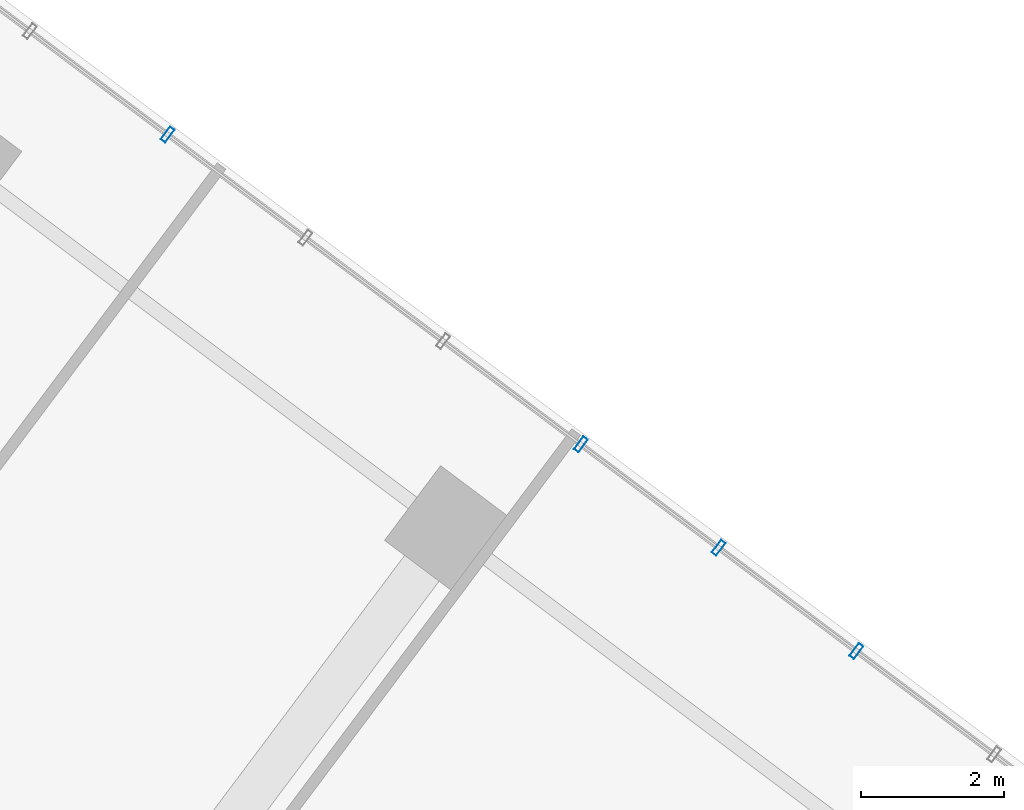
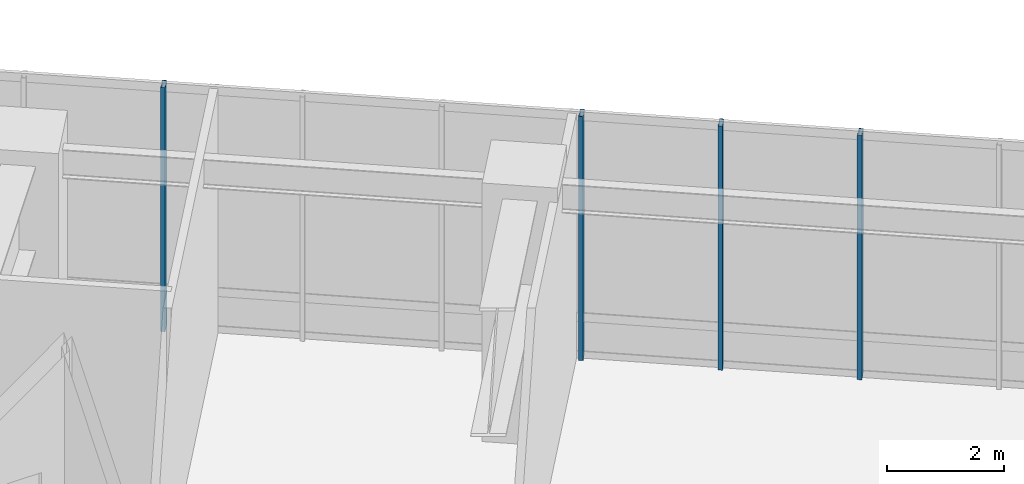
# One storey, part 14 of 38: 4 members, 1 element without a shape of its own.
"""IFC4 building model written with IfcOpenShell, lengths in metres."""

import ifcopenshell
import ifcopenshell.guid

model = None  # the IFC model being written
_history = None  # IfcOwnerHistory: only IFC2X3 demands one
_inside = {}  # id of a spatial element -> (the spatial element, [elements in it])
_under = {}  # id of a project, library or spatial element -> (it, [spatial elements below it])
_declared = {}  # id of a project -> (the project, [libraries it declares])
_typed = {}  # id of a type object -> (the type object, [elements of that type])
_made_of = {}  # id of a material, layer set ... -> (it, [elements and type objects made of it])


def new_model(schema):
    """Start an empty IFC model of exactly this schema.

    Asked for "IFC4X3", IfcOpenShell would pick the latest addendum, in which some entities
    have other attributes; the version numbers below select the first issue.
    IFC2X3 requires an IfcOwnerHistory on every rooted entity: one is made here for all.
    """
    global model, _history
    if schema == "IFC4X3":
        model = ifcopenshell.file(schema_version=(4, 3, 0, 0))
    else:
        model = ifcopenshell.file(schema=schema)
    _inside.clear()
    _under.clear()
    _declared.clear()
    _typed.clear()
    _made_of.clear()
    _history = None
    if model.schema == "IFC2X3":
        org = make("IfcOrganization", Name="unknown")
        user = make(
            "IfcPersonAndOrganization",
            ThePerson=make("IfcPerson", FamilyName="unknown"),
            TheOrganization=org,
        )
        app = make(
            "IfcApplication",
            ApplicationDeveloper=org,
            Version="unknown",
            ApplicationFullName="unknown",
            ApplicationIdentifier="unknown",
        )
        _history = make(
            "IfcOwnerHistory",
            OwningUser=user,
            OwningApplication=app,
            ChangeAction="ADDED",
            CreationDate=0,
        )
    return model


def make(cls, **values):
    """One entity of the class cls with the attributes given. An attribute that is None is left unset."""
    return model.create_entity(
        cls, **{name: value for name, value in values.items() if value is not None}
    )


def rooted(cls, **values):
    """An entity with a GlobalId (a new one), such as an element, a storey or a relation."""
    return make(cls, GlobalId=ifcopenshell.guid.new(), OwnerHistory=_history, **values)


def si_unit(unit_type, name, prefix=None):
    """IfcSIUnit, for example si_unit("LENGTHUNIT", "METRE", prefix="MILLI")."""
    return make("IfcSIUnit", UnitType=unit_type, Prefix=prefix, Name=name)


def assignment(units):
    """IfcUnitAssignment: the units of a project."""
    return None if units is None else make("IfcUnitAssignment", Units=units)


def point(xyz):
    """IfcCartesianPoint."""
    return None if xyz is None else make("IfcCartesianPoint", Coordinates=xyz)


def direction(xyz):
    """IfcDirection."""
    return None if xyz is None else make("IfcDirection", DirectionRatios=xyz)


def frame(location, z_axis=None, x_axis=None):
    """IfcAxis2Placement3D, a coordinate frame: its origin and axes. An axis left out is left unset."""
    return make(
        "IfcAxis2Placement3D",
        Location=point(location),
        Axis=direction(z_axis),
        RefDirection=direction(x_axis),
    )


def frame_2d(location, x_axis=None):
    """IfcAxis2Placement2D, a coordinate frame in the plane: its origin and x axis."""
    return make(
        "IfcAxis2Placement2D", Location=point(location), RefDirection=direction(x_axis)
    )


def origin():
    """The frame at (0, 0, 0) with its axes left unset."""
    return frame((0.0, 0.0, 0.0))


def origin_2d():
    """The frame at (0, 0) in the plane with its x axis left unset."""
    return frame_2d((0.0, 0.0))


def place(relative_to, where):
    """IfcLocalPlacement: puts the frame where relative to a parent placement (None: the world)."""
    return make(
        "IfcLocalPlacement", PlacementRelTo=relative_to, RelativePlacement=where
    )


def context(
    kind, dimensions, precision=None, world=None, true_north=None, identifier=None
):
    """IfcGeometricRepresentationContext, for example the 3D "Model" context."""
    return make(
        "IfcGeometricRepresentationContext",
        ContextIdentifier=identifier,
        ContextType=kind,
        CoordinateSpaceDimension=dimensions,
        Precision=precision,
        WorldCoordinateSystem=world,
        TrueNorth=true_north,
    )


def subcontext(parent, identifier, kind, view, scale=None):
    """IfcGeometricRepresentationSubContext, for example "Body" below "Model"."""
    return make(
        "IfcGeometricRepresentationSubContext",
        ContextIdentifier=identifier,
        ContextType=kind,
        ParentContext=parent,
        TargetScale=scale,
        TargetView=view,
    )


def project(units=None, contexts=None):
    """IfcProject with its units and contexts."""
    return rooted(
        "IfcProject",
        Name="project",
        RepresentationContexts=contexts,
        UnitsInContext=assignment(units),
    )


def spatial(cls, under=None, at=None, **own):
    """A site, building, storey or space (cls), placed at a placement, below another one or the project."""
    s = rooted(cls, ObjectPlacement=at, **own)
    if under is not None:
        _under.setdefault(under.id(), (under, []))[1].append(s)
    return s


def profile(cls, at=None, kind="AREA", **sizes):
    """A parametric profile (cls). Its sizes go by their IFC names, for example OverallWidth=200.0."""
    return make(cls, ProfileType=kind, Position=at, **sizes)


def hollow_rectangle(**sizes):
    """IfcRectangleHollowProfileDef."""
    return profile("IfcRectangleHollowProfileDef", **sizes)


def extrude(swept, where, along, depth):
    """IfcExtrudedAreaSolid: the profile swept, set in the frame where, extruded along a direction by depth."""
    return make(
        "IfcExtrudedAreaSolid",
        SweptArea=swept,
        Position=where,
        ExtrudedDirection=direction(along),
        Depth=depth,
    )


def shape(context_of_items, identifier, shape_type, items):
    """IfcShapeRepresentation: the items that make up one representation, for example the "Body"."""
    return make(
        "IfcShapeRepresentation",
        ContextOfItems=context_of_items,
        RepresentationIdentifier=identifier,
        RepresentationType=shape_type,
        Items=items,
    )


def material(Name=None, Category=None):
    """IfcMaterial."""
    return make("IfcMaterial", Name=Name, Category=Category)


def layer(
    of_material, thickness, ventilated=None, Name=None, Category=None, Priority=None
):
    """IfcMaterialLayer: one layer of a wall or slab, of a material (None: an air gap)."""
    return make(
        "IfcMaterialLayer",
        Material=of_material,
        LayerThickness=thickness,
        IsVentilated=ventilated,
        Name=Name,
        Category=Category,
        Priority=Priority,
    )


def layer_set(layers, Name=None):
    """IfcMaterialLayerSet."""
    return make("IfcMaterialLayerSet", MaterialLayers=layers, LayerSetName=Name)


def material_profile(
    of_material, cross_section, Name=None, Category=None, Priority=None
):
    """IfcMaterialProfile: a cross section and its material."""
    return make(
        "IfcMaterialProfile",
        Name=Name,
        Material=of_material,
        Profile=cross_section,
        Priority=Priority,
        Category=Category,
    )


def profile_set(profiles, Name=None, composite=None):
    """IfcMaterialProfileSet."""
    return make(
        "IfcMaterialProfileSet",
        Name=Name,
        MaterialProfiles=profiles,
        CompositeProfile=composite,
    )


def made_of(thing, what):
    """Note that an element or type object is made of a material, layer set ...; save() writes the relation."""
    if what is not None:
        _made_of.setdefault(what.id(), (what, []))[1].append(thing)
    return thing


def type_object(cls, material=None, **own):
    """A type object (cls), such as IfcWallType, which elements share."""
    return made_of(rooted(cls, **own), material)


def element(
    cls,
    number,
    at=None,
    inside=None,
    cuts=None,
    type_object=None,
    material=None,
    context=None,
    identifier="Body",
    shape_type=None,
    held_by="IfcProductDefinitionShape",
    body=None,
    shapes=None,
    **own,
):
    """One element of the class cls, such as IfcWall. Its Tag is "e" and its number.

    at: its placement. inside: the storey or other place that contains it. cuts: it is an
    opening in that element (IfcRelVoidsElement). A single representation is given by context,
    identifier, shape_type and body (its items); several are given by shapes. held_by: the class
    of the entity that holds the representations. save() writes the other relations.
    """
    e = rooted(cls, Tag="e%d" % number, ObjectPlacement=at, **own)
    if body is not None:
        shapes = [shape(context, identifier, shape_type, body)]
    if shapes is not None:
        e.Representation = make(held_by, Representations=shapes)
    if inside is not None:
        _inside.setdefault(inside.id(), (inside, []))[1].append(e)
    if cuts is not None:
        rooted(
            "IfcRelVoidsElement", RelatingBuildingElement=cuts, RelatedOpeningElement=e
        )
    if type_object is not None:
        _typed.setdefault(type_object.id(), (type_object, []))[1].append(e)
    return made_of(e, material)


def aggregate(whole, parts):
    """IfcRelAggregates: a whole, such as a stair, and the parts it consists of."""
    return rooted("IfcRelAggregates", RelatingObject=whole, RelatedObjects=parts)


def save(model, path):
    """Write the relations noted so far, then the file.

    IfcRelAggregates (storeys below a building ...), IfcRelContainedInSpatialStructure (elements
    in a storey), IfcRelDefinesByType, IfcRelAssociatesMaterial and IfcRelDeclares: one each for
    every whole, place, type object, material and project.
    """
    for whole, parts in _under.values():
        aggregate(whole, parts)
    for where, things in _inside.values():
        rooted(
            "IfcRelContainedInSpatialStructure",
            RelatedElements=things,
            RelatingStructure=where,
        )
    for kind, things in _typed.values():
        rooted("IfcRelDefinesByType", RelatedObjects=things, RelatingType=kind)
    for what, things in _made_of.values():
        rooted("IfcRelAssociatesMaterial", RelatedObjects=things, RelatingMaterial=what)
    for by, libraries in _declared.values():
        rooted("IfcRelDeclares", RelatingContext=by, RelatedDefinitions=libraries)
    model.write(path)


model = new_model("IFC4")

# Units and contexts
model_context = context("Model", 3, precision=1e-05, world=origin(), true_north=direction((0.0, 1.0)))
body_context = subcontext(model_context, "Body", "Model", "MODEL_VIEW")
ifc_project = project(units=[si_unit("LENGTHUNIT", "METRE"), si_unit("AREAUNIT", "SQUARE_METRE"), si_unit("VOLUMEUNIT", "CUBIC_METRE"), si_unit("PLANEANGLEUNIT", "RADIAN"), si_unit("MASSUNIT", "GRAM", prefix="KILO")], contexts=[model_context])

# Site, building, storey
site_placement = place(None, origin())
site = spatial("IfcSite", under=ifc_project, at=site_placement, CompositionType="ELEMENT")
building_placement = place(site_placement, origin())
building = spatial("IfcBuilding", under=site, at=building_placement, Name="Hatsunagi Terrace Concourse", CompositionType="ELEMENT")
storey_placement = place(building_placement, frame((0.0, 0.0, 21.60009765625)))
storey = spatial("IfcBuildingStorey", under=building, at=storey_placement, Name="L05", CompositionType="ELEMENT", Elevation=21.60009765625)

# Curtain wall, members
ifc_material_1 = material(Name="Anodised Aluminium Alloy 6063-T5", Category="aluminium")
ifc_layer = layer(ifc_material_1, 0.199951171875)
ifc_layer_set = layer_set([ifc_layer], Name="PodiumStorefront_CW01")
curtain_wall_type = type_object("IfcCurtainWallType", Name="PodiumStorefront_CW01", PredefinedType="NOTDEFINED", material=ifc_layer_set)
curtain_wall_placement = place(storey_placement, origin())
curtain_wall = element("IfcCurtainWall", 1, at=curtain_wall_placement, inside=storey, type_object=curtain_wall_type, Name="Unitised Curtain Wall CW-01 CW-L05-01", PredefinedType="NOTDEFINED")
ifc_material_2 = material(Name="Anodised Aluminium Alloy 6063-T5", Category="aluminium")
ifc_material_profile = material_profile(ifc_material_2, hollow_rectangle(XDim=0.080078125, YDim=0.219970703125, WallThickness=0.0048828125, at=origin_2d()), Name="ALU-MUL-220x80x5")
ifc_profile_set = profile_set([ifc_material_profile], Name="Anodised Aluminium Alloy 6063-T5")
member_type = type_object("IfcMemberType", Name="CurtainWallMullion_Heavy_220x80", PredefinedType="MULLION", material=ifc_profile_set)
member_1_placement = place(storey_placement, frame((54.464111328125, 33.527099609375, 0.0), z_axis=(0.0, 0.0, 1.0), x_axis=(0.800007305671, -0.599990258982, 0.0)))
member_1 = element("IfcMember", 2, at=member_1_placement, type_object=member_type, Name="Curtain Wall Mullion MUL-01", PredefinedType="MULLION", context=body_context, shape_type="SweptSolid", body=[
    extrude(hollow_rectangle(XDim=0.080078125, YDim=0.219970703125, WallThickness=0.0048828125, at=origin_2d()), origin(), (0.0, 0.0, 1.0), 5.099853515625),
])
member_2_placement = place(storey_placement, frame((60.22607421875, 29.2060546875, 0.0), z_axis=(0.0, 0.0, 1.0), x_axis=(0.800007305671, -0.599990258982, 0.0)))
member_2 = element("IfcMember", 3, at=member_2_placement, type_object=member_type, Name="Curtain Wall Mullion MUL-01", PredefinedType="MULLION", context=body_context, shape_type="SweptSolid", body=[
    extrude(hollow_rectangle(XDim=0.080078125, YDim=0.219970703125, WallThickness=0.0048828125, at=origin_2d()), origin(), (0.0, 0.0, 1.0), 5.099853515625),
])
member_3_placement = place(storey_placement, frame((62.14697265625, 27.764892578125, 0.0), z_axis=(0.0, 0.0, 1.0), x_axis=(0.800007305671, -0.599990258982, 0.0)))
member_3 = element("IfcMember", 4, at=member_3_placement, type_object=member_type, Name="Curtain Wall Mullion MUL-01", PredefinedType="MULLION", context=body_context, shape_type="SweptSolid", body=[
    extrude(hollow_rectangle(XDim=0.080078125, YDim=0.219970703125, WallThickness=0.0048828125, at=origin_2d()), origin(), (0.0, 0.0, 1.0), 5.099853515625),
])
member_4_placement = place(storey_placement, frame((64.068115234375, 26.324951171875, 0.0), z_axis=(0.0, 0.0, 1.0), x_axis=(0.800007305671, -0.599990258982, 0.0)))
member_4 = element("IfcMember", 5, at=member_4_placement, type_object=member_type, Name="Curtain Wall Mullion MUL-01", PredefinedType="MULLION", context=body_context, shape_type="SweptSolid", body=[
    extrude(hollow_rectangle(XDim=0.080078125, YDim=0.219970703125, WallThickness=0.0048828125, at=origin_2d()), origin(), (0.0, 0.0, 1.0), 5.099853515625),
])
aggregate(curtain_wall, [member_1, member_2, member_3, member_4])

save(model, "model.ifc")
